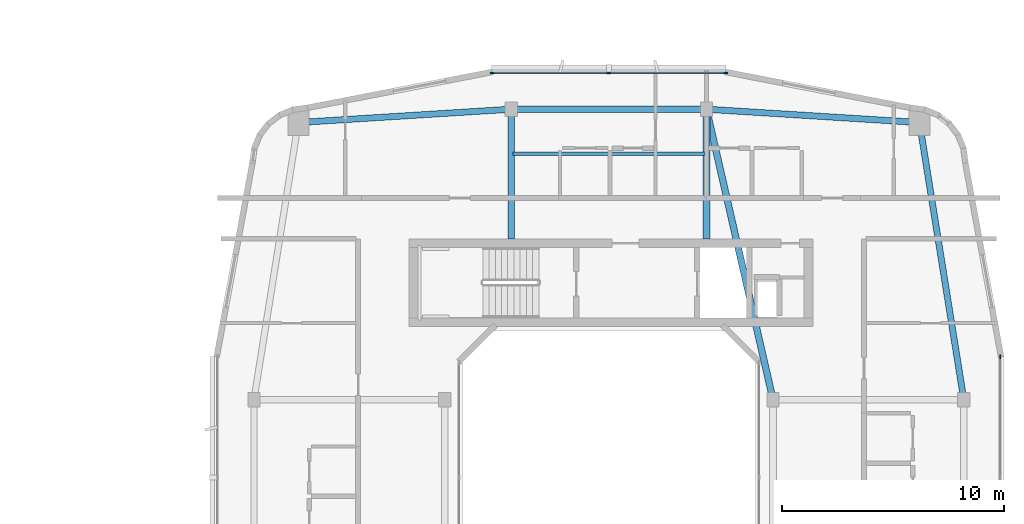
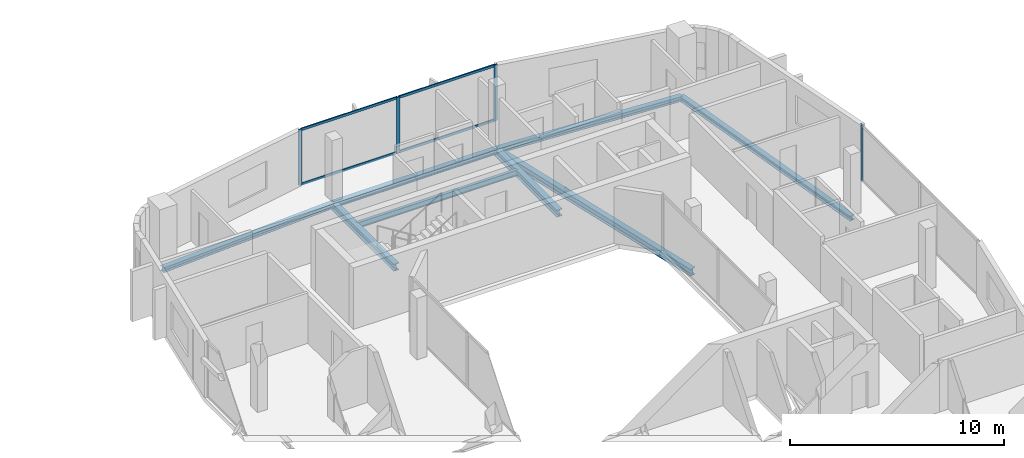
# One storey, part 10 of 26: 8 beams, 8 members, 2 elements without a shape of their own.
"""IFC4 building model written with IfcOpenShell, lengths in metres."""

from ifc_helpers import new_model, si_unit, derived_unit, direction, frame, origin, origin_2d, place, context, subcontext, project, spatial, rectangle, i_section, extrude, material, layer, layer_set, material_profile, profile_set, type_object, element, aggregate, save


model = new_model("IFC4")

# Units and contexts
model_context = context("Model", 3, precision=1e-05, world=origin(), true_north=direction((0.0, 1.0)))
body_context = subcontext(model_context, "Body", "Model", "MODEL_VIEW")
ifc_project = project(units=[si_unit("LENGTHUNIT", "METRE"), si_unit("AREAUNIT", "SQUARE_METRE"), si_unit("VOLUMEUNIT", "CUBIC_METRE"), si_unit("PLANEANGLEUNIT", "RADIAN"), si_unit("MASSUNIT", "GRAM", prefix="KILO"), derived_unit("THERMALTRANSMITTANCEUNIT", [(si_unit("POWERUNIT", "WATT"), 1), (si_unit("LENGTHUNIT", "METRE"), -2), (si_unit("THERMODYNAMICTEMPERATUREUNIT", "KELVIN"), -1)])], contexts=[model_context])

# Site, building, storey
site_placement = place(None, origin())
site = spatial("IfcSite", under=ifc_project, at=site_placement, CompositionType="ELEMENT")
building_placement = place(site_placement, origin())
building = spatial("IfcBuilding", under=site, at=building_placement, Name="Kivonza Crest Hotel", CompositionType="ELEMENT")
storey_placement = place(building_placement, frame((0.0, 0.0, 116.0)))
storey = spatial("IfcBuildingStorey", under=building, at=storey_placement, Name="L31", CompositionType="ELEMENT", Elevation=116.0)

# Beams
ifc_material_1 = material(Name="Steel S355", Category="steel")
ifc_material_profile_1 = material_profile(ifc_material_1, i_section(OverallWidth=0.280029296875, OverallDepth=0.280029296875, WebThickness=0.010498046875, FlangeThickness=0.01806640625, FilletRadius=0.02392578125, at=origin_2d()), Name="HEB 280")
ifc_profile_set_1 = profile_set([ifc_material_profile_1], Name="Steel S355")
beam_type_1 = type_object("IfcBeamType", Name="BM-HEB280", PredefinedType="SPANDREL", material=ifc_profile_set_1)
beam_1_placement = place(storey_placement, frame((93.0, 28.5, -0.389892578125), z_axis=(-0.157990501107, 0.987440631917, 0.0), x_axis=(-0.987440631917, -0.157990501107, 0.0)))
element("IfcBeam", 1, at=beam_1_placement, inside=storey, type_object=beam_type_1, Name="Companion Tower T2 L31 perimeter spandrel E2-NE", PredefinedType="SPANDREL", context=body_context, shape_type="SweptSolid", body=[
    extrude(i_section(OverallWidth=0.280029296875, OverallDepth=0.280029296875, WebThickness=0.010498046875, FlangeThickness=0.01806640625, FilletRadius=0.02392578125, at=origin_2d()), origin(), (0.0, 0.0, 1.0), 12.658935546875),
])
beam_2_placement = place(storey_placement, frame((91.0, 41.0, -0.389892578125), z_axis=(-0.998051985873, 0.062387767186, 0.0), x_axis=(-0.062387767186, -0.998051985873, 0.0)))
element("IfcBeam", 2, at=beam_2_placement, inside=storey, type_object=beam_type_1, Name="Companion Tower T2 L31 perimeter spandrel NE-N2", PredefinedType="SPANDREL", context=body_context, shape_type="SweptSolid", body=[
    extrude(i_section(OverallWidth=0.280029296875, OverallDepth=0.280029296875, WebThickness=0.010498046875, FlangeThickness=0.01806640625, FilletRadius=0.02392578125, at=origin_2d()), origin(), (0.0, 0.0, 1.0), 9.618896484375),
])
beam_3_placement = place(storey_placement, frame((81.39990234375, 41.60009765625, -0.389892578125), z_axis=(-1.0, 0.0, 0.0), x_axis=(0.0, -1.0, 0.0)))
element("IfcBeam", 3, at=beam_3_placement, inside=storey, type_object=beam_type_1, Name="Companion Tower T2 L31 perimeter spandrel N2-N1", PredefinedType="SPANDREL", context=body_context, shape_type="SweptSolid", body=[
    extrude(i_section(OverallWidth=0.280029296875, OverallDepth=0.280029296875, WebThickness=0.010498046875, FlangeThickness=0.01806640625, FilletRadius=0.02392578125, at=origin_2d()), origin(), (0.0, 0.0, 1.0), 8.7998046875),
])
beam_4_placement = place(storey_placement, frame((72.60009765625, 41.60009765625, -0.389892578125), z_axis=(-0.998051985873, -0.062387767186, 0.0), x_axis=(0.062387767186, -0.998051985873, 0.0)))
element("IfcBeam", 4, at=beam_4_placement, inside=storey, type_object=beam_type_1, Name="Companion Tower T2 L31 perimeter spandrel N1-NW", PredefinedType="SPANDREL", context=body_context, shape_type="SweptSolid", body=[
    extrude(i_section(OverallWidth=0.280029296875, OverallDepth=0.280029296875, WebThickness=0.010498046875, FlangeThickness=0.01806640625, FilletRadius=0.02392578125, at=origin_2d()), origin(), (0.0, 0.0, 1.0), 9.618896484375),
])
ifc_material_profile_2 = material_profile(ifc_material_1, i_section(OverallWidth=0.300048828125, OverallDepth=0.39990234375, WebThickness=0.013427734375, FlangeThickness=0.02392578125, FilletRadius=0.027099609375, at=origin_2d()), Name="HEB 400")
ifc_profile_set_2 = profile_set([ifc_material_profile_2], Name="Steel S355")
beam_type_2 = type_object("IfcBeamType", Name="BM-HEB400", PredefinedType="BEAM", material=ifc_profile_set_2)
beam_5_placement = place(storey_placement, frame((84.39990234375, 28.5, -0.449951171875), z_axis=(-0.223227287589, 0.974766422317, 0.0), x_axis=(-0.974766422317, -0.223227287589, 0.0)))
element("IfcBeam", 5, at=beam_5_placement, inside=storey, type_object=beam_type_2, Name="Companion Tower T2 L31 girder WR2-N2", PredefinedType="BEAM", context=body_context, shape_type="SweptSolid", body=[
    extrude(i_section(OverallWidth=0.300048828125, OverallDepth=0.39990234375, WebThickness=0.013427734375, FlangeThickness=0.02392578125, FilletRadius=0.027099609375, at=origin_2d()), origin(), (0.0, 0.0, 1.0), 13.439208984375),
])
for number, where, z_axis, x_axis, name in (
    (6, (72.60009765625, 41.60009765625, -0.449951171875), (0.0, -1.0, 0.0), (1.0, 0.0, 0.0), "Companion T2 L31 radial core girder RN1"),
    (7, (81.39990234375, 41.60009765625, -0.449951171875), (0.0, -1.0, 0.0), (1.0, 0.0, 0.0), "Companion T2 L31 radial core girder RN2"),
):
    element("IfcBeam", number, at=place(storey_placement, frame(where, z_axis=z_axis, x_axis=x_axis)), inside=storey, type_object=beam_type_2, Name=name, PredefinedType="BEAM", context=body_context, shape_type="SweptSolid", body=[
        extrude(i_section(OverallWidth=0.300048828125, OverallDepth=0.39990234375, WebThickness=0.013427734375, FlangeThickness=0.02392578125, FilletRadius=0.027099609375, at=origin_2d()), origin(), (0.0, 0.0, 1.0), 5.85009765625),
    ])
ifc_material_profile_3 = material_profile(ifc_material_1, i_section(OverallWidth=0.159912109375, OverallDepth=0.330078125, WebThickness=0.007568359375, FlangeThickness=0.011474609375, FilletRadius=0.01806640625, at=origin_2d()), Name="IPE 330")
ifc_profile_set_3 = profile_set([ifc_material_profile_3], Name="Steel S355")
beam_type_3 = type_object("IfcBeamType", Name="BM-IPE330", PredefinedType="JOIST", material=ifc_profile_set_3)
beam_6_placement = place(storey_placement, frame((72.679931640625, 39.60009765625, -0.4150390625), z_axis=(1.0, 0.0, 0.0), x_axis=(0.0, 1.0, 0.0)))
element("IfcBeam", 8, at=beam_6_placement, inside=storey, type_object=beam_type_3, Name="Companion Tower T2 L31 North floor joist", PredefinedType="JOIST", context=body_context, shape_type="SweptSolid", body=[
    extrude(i_section(OverallWidth=0.159912109375, OverallDepth=0.330078125, WebThickness=0.007568359375, FlangeThickness=0.011474609375, FilletRadius=0.01806640625, at=origin_2d()), origin(), (0.0, 0.0, 1.0), 8.64013671875),
])

# Curtain wall, member
ifc_material_2 = material(Name="Anodised bronze aluminium and low-E double glazing", Category="aluminium")
ifc_layer = layer(ifc_material_2, 0.179931640625)
ifc_layer_set = layer_set([ifc_layer], Name="Anodised bronze aluminium and low-E double glazing")
curtain_wall_type = type_object("IfcCurtainWallType", Name="CW-SYS-4", PredefinedType="NOTDEFINED", material=ifc_layer_set)
curtain_wall_1_placement = place(storey_placement, origin())
curtain_wall_1 = element("IfcCurtainWall", 9, at=curtain_wall_1_placement, inside=storey, type_object=curtain_wall_type, Name="L31 unitised curtain wall CW-T2-L31-17", PredefinedType="NOTDEFINED")
ifc_material_3 = material(Name="Anodised bronze aluminium", Category="aluminium")
ifc_material_profile_4 = material_profile(ifc_material_3, rectangle(XDim=0.06494140625, YDim=0.179931640625, at=origin_2d()), Name="CW-M 65x180")
ifc_profile_set_4 = profile_set([ifc_material_profile_4], Name="Anodised bronze aluminium")
member_type_1 = type_object("IfcMemberType", Name="CW-MUL-65x180", PredefinedType="MULLION", material=ifc_profile_set_4)
member_1_placement = place(storey_placement, frame((94.639892578125, 30.447509765625, 0.0), z_axis=(0.0, 0.0, 1.0), x_axis=(-1.0, 0.0, 0.0)))
member_1 = element("IfcMember", 10, at=member_1_placement, type_object=member_type_1, Name="CW-4 mullion 3", PredefinedType="MULLION", context=body_context, shape_type="SweptSolid", body=[
    extrude(rectangle(XDim=0.06494140625, YDim=0.179931640625, at=origin_2d()), origin(), (0.0, 0.0, 1.0), 3.179931640625),
])
aggregate(curtain_wall_1, [member_1])

# Curtain wall, members
curtain_wall_2_placement = place(storey_placement, origin())
curtain_wall_2 = element("IfcCurtainWall", 11, at=curtain_wall_2_placement, inside=storey, type_object=curtain_wall_type, Name="L31 unitised curtain wall CW-T2-L31-26", PredefinedType="NOTDEFINED")
member_2_placement = place(storey_placement, frame((82.267578125, 43.239990234375, 0.0), z_axis=(0.0, 0.0, 1.0), x_axis=(0.0, -1.0, 0.0)))
member_2 = element("IfcMember", 12, at=member_2_placement, type_object=member_type_1, Name="CW-4 mullion 1", PredefinedType="MULLION", context=body_context, shape_type="SweptSolid", body=[
    extrude(rectangle(XDim=0.06494140625, YDim=0.179931640625, at=origin_2d()), origin(), (0.0, 0.0, 1.0), 3.179931640625),
])
member_3_placement = place(storey_placement, frame((77.0, 43.239990234375, 0.0), z_axis=(0.0, 0.0, 1.0), x_axis=(0.0, -1.0, 0.0)))
member_3 = element("IfcMember", 13, at=member_3_placement, type_object=member_type_1, Name="CW-4 mullion 2", PredefinedType="MULLION", context=body_context, shape_type="SweptSolid", body=[
    extrude(rectangle(XDim=0.06494140625, YDim=0.179931640625, at=origin_2d()), origin(), (0.0, 0.0, 1.0), 3.179931640625),
])
member_4_placement = place(storey_placement, frame((71.732421875, 43.239990234375, 0.0), z_axis=(0.0, 0.0, 1.0), x_axis=(0.0, -1.0, 0.0)))
member_4 = element("IfcMember", 14, at=member_4_placement, type_object=member_type_1, Name="CW-4 mullion 3", PredefinedType="MULLION", context=body_context, shape_type="SweptSolid", body=[
    extrude(rectangle(XDim=0.06494140625, YDim=0.179931640625, at=origin_2d()), origin(), (0.0, 0.0, 1.0), 3.179931640625),
])
ifc_material_profile_5 = material_profile(ifc_material_3, rectangle(XDim=0.06494140625, YDim=0.139892578125, at=origin_2d()), Name="CW-T 65x140")
ifc_profile_set_5 = profile_set([ifc_material_profile_5], Name="Anodised bronze aluminium")
member_type_2 = type_object("IfcMemberType", Name="CW-TRN-65x140", PredefinedType="USERDEFINED", material=ifc_profile_set_5)
member_5_placement = place(storey_placement, frame((82.235107421875, 43.239990234375, 0.032470703125), z_axis=(-1.0, 0.0, 0.0), x_axis=(0.0, -1.0, 0.0)))
member_5 = element("IfcMember", 15, at=member_5_placement, type_object=member_type_2, Name="CW-4 transom 1.1", ObjectType="TRANSOM", PredefinedType="USERDEFINED", context=body_context, shape_type="SweptSolid", body=[
    extrude(rectangle(XDim=0.06494140625, YDim=0.139892578125, at=origin_2d()), origin(), (0.0, 0.0, 1.0), 5.20263671875),
])
member_6_placement = place(storey_placement, frame((82.235107421875, 43.239990234375, 3.1474609375), z_axis=(-1.0, 0.0, 0.0), x_axis=(0.0, -1.0, 0.0)))
member_6 = element("IfcMember", 16, at=member_6_placement, type_object=member_type_2, Name="CW-4 transom 1.2", ObjectType="TRANSOM", PredefinedType="USERDEFINED", context=body_context, shape_type="SweptSolid", body=[
    extrude(rectangle(XDim=0.06494140625, YDim=0.139892578125, at=origin_2d()), origin(), (0.0, 0.0, 1.0), 5.20263671875),
])
member_7_placement = place(storey_placement, frame((76.967529296875, 43.239990234375, 0.032470703125), z_axis=(-1.0, 0.0, 0.0), x_axis=(0.0, -1.0, 0.0)))
member_7 = element("IfcMember", 17, at=member_7_placement, type_object=member_type_2, Name="CW-4 transom 2.1", ObjectType="TRANSOM", PredefinedType="USERDEFINED", context=body_context, shape_type="SweptSolid", body=[
    extrude(rectangle(XDim=0.06494140625, YDim=0.139892578125, at=origin_2d()), origin(), (0.0, 0.0, 1.0), 5.20263671875),
])
member_8_placement = place(storey_placement, frame((76.967529296875, 43.239990234375, 3.1474609375), z_axis=(-1.0, 0.0, 0.0), x_axis=(0.0, -1.0, 0.0)))
member_8 = element("IfcMember", 18, at=member_8_placement, type_object=member_type_2, Name="CW-4 transom 2.2", ObjectType="TRANSOM", PredefinedType="USERDEFINED", context=body_context, shape_type="SweptSolid", body=[
    extrude(rectangle(XDim=0.06494140625, YDim=0.139892578125, at=origin_2d()), origin(), (0.0, 0.0, 1.0), 5.20263671875),
])
aggregate(curtain_wall_2, [member_2, member_3, member_4, member_5, member_6, member_7, member_8])

save(model, "model.ifc")
